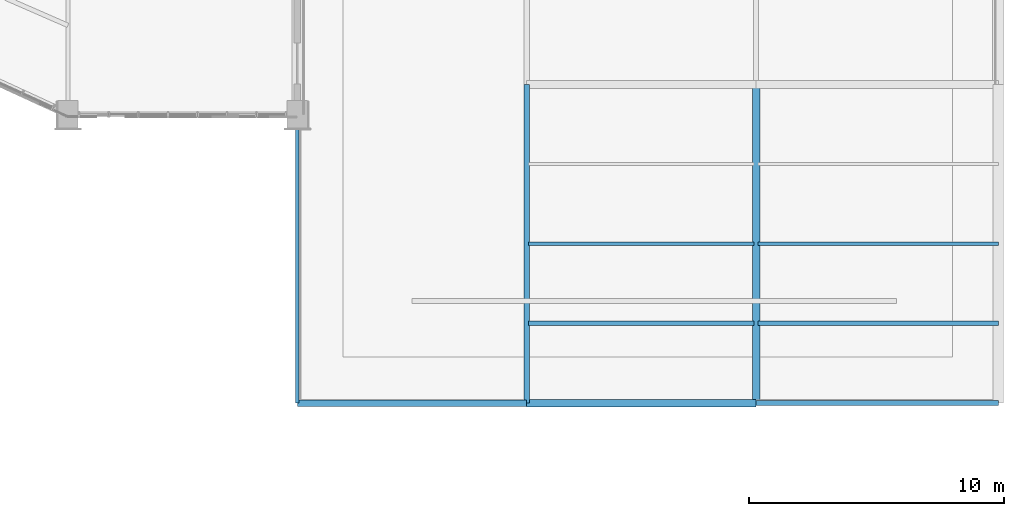
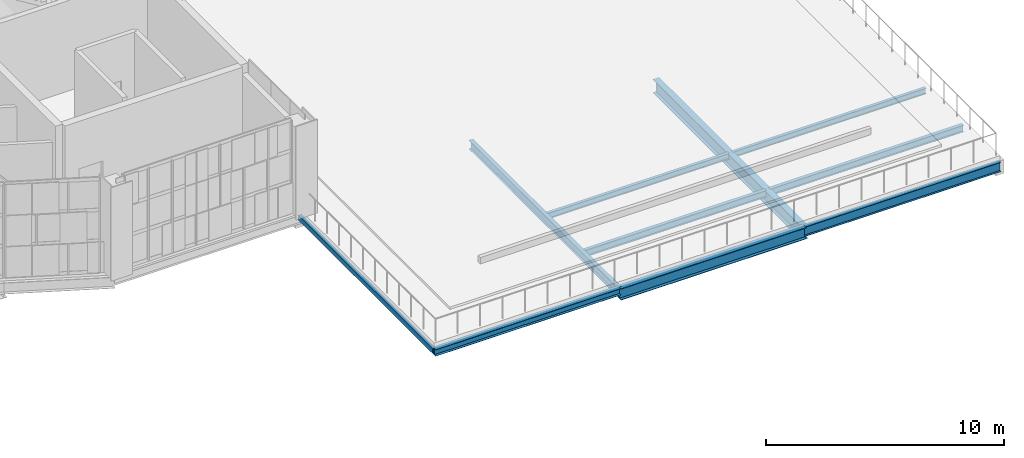
# One storey, part 38 of 66: 10 beams.
"""IFC4 building model written with IfcOpenShell, lengths in metres."""

from ifc_helpers import new_model, si_unit, direction, frame, origin, origin_2d, place, context, subcontext, project, spatial, hollow_rectangle, i_section, extrude, material, material_profile, profile_set, type_object, element, save


model = new_model("IFC4")

# Units and contexts
model_context = context("Model", 3, precision=1e-05, world=origin(), true_north=direction((0.0, 1.0)))
body_context = subcontext(model_context, "Body", "Model", "MODEL_VIEW")
ifc_project = project(units=[si_unit("LENGTHUNIT", "METRE"), si_unit("AREAUNIT", "SQUARE_METRE"), si_unit("VOLUMEUNIT", "CUBIC_METRE"), si_unit("PLANEANGLEUNIT", "RADIAN"), si_unit("MASSUNIT", "GRAM", prefix="KILO")], contexts=[model_context])

# Site, building, storey
site_placement = place(None, origin())
site = spatial("IfcSite", under=ifc_project, at=site_placement, CompositionType="ELEMENT")
building_placement = place(site_placement, origin())
building = spatial("IfcBuilding", under=site, at=building_placement, Name="Solvikara Media Centre", CompositionType="ELEMENT")
storey_placement = place(building_placement, frame((0.0, 0.0, 19.800048828125)))
storey = spatial("IfcBuildingStorey", under=building, at=storey_placement, Name="L04", CompositionType="ELEMENT", Elevation=19.800048828125)

# Beams
ifc_material = material(Name="Steel S355JR", Category="steel")
ifc_material_profile_1 = material_profile(ifc_material, i_section(OverallWidth=0.300048828125, OverallDepth=0.699951171875, WebThickness=0.012939453125, FlangeThickness=0.02392578125, at=origin_2d()), Name="WF 700x300x13x24")
ifc_profile_set_1 = profile_set([ifc_material_profile_1], Name="Steel S355JR")
beam_type_1 = type_object("IfcBeamType", Name="BM-17", PredefinedType="BEAM", material=ifc_profile_set_1)
beam_1_placement = place(storey_placement, frame((154.5, 8.0, -0.6220703125), z_axis=(0.0, 1.0, 0.0), x_axis=(-1.0, 0.0, 0.0)))
element("IfcBeam", 1, at=beam_1_placement, inside=storey, type_object=beam_type_1, Name="B-L04-Y1542", PredefinedType="BEAM", context=body_context, shape_type="SweptSolid", body=[
    extrude(i_section(OverallWidth=0.300048828125, OverallDepth=0.699951171875, WebThickness=0.012939453125, FlangeThickness=0.02392578125, at=origin_2d()), origin(), (0.0, 0.0, 1.0), 12.5),
])
ifc_material_profile_2 = material_profile(ifc_material, i_section(OverallWidth=0.175048828125, OverallDepth=0.35009765625, WebThickness=0.007080078125, FlangeThickness=0.010986328125, at=origin_2d()), Name="WF 350x175x7x11")
ifc_profile_set_2 = profile_set([ifc_material_profile_2], Name="Steel S355JR")
beam_type_2 = type_object("IfcBeamType", Name="BM-22", PredefinedType="JOIST", material=ifc_profile_set_2)
beam_2_placement = place(storey_placement, frame((145.577880859375, 11.125, -0.447021484375), z_axis=(1.0, 0.0, 0.0), x_axis=(0.0, 1.0, 0.0)))
element("IfcBeam", 2, at=beam_2_placement, inside=storey, type_object=beam_type_2, Name="J-L04-1618", PredefinedType="JOIST", context=body_context, shape_type="SweptSolid", body=[
    extrude(i_section(OverallWidth=0.175048828125, OverallDepth=0.35009765625, WebThickness=0.007080078125, FlangeThickness=0.010986328125, at=origin_2d()), origin(), (0.0, 0.0, 1.0), 8.84423828125),
])
beam_3_placement = place(storey_placement, frame((154.577880859375, 11.125, -0.447021484375), z_axis=(1.0, 0.0, 0.0), x_axis=(0.0, 1.0, 0.0)))
element("IfcBeam", 3, at=beam_3_placement, inside=storey, type_object=beam_type_2, Name="J-L04-1626", PredefinedType="JOIST", context=body_context, shape_type="SweptSolid", body=[
    extrude(i_section(OverallWidth=0.175048828125, OverallDepth=0.35009765625, WebThickness=0.007080078125, FlangeThickness=0.010986328125, at=origin_2d()), origin(), (0.0, 0.0, 1.0), 9.422119140625),
])
ifc_material_profile_3 = material_profile(ifc_material, i_section(OverallWidth=0.14990234375, OverallDepth=0.300048828125, WebThickness=0.006591796875, FlangeThickness=0.009033203125, at=origin_2d()), Name="WF 300x150x6.5x9")
ifc_profile_set_3 = profile_set([ifc_material_profile_3], Name="Steel S355JR")
beam_type_3 = type_object("IfcBeamType", Name="BM-23", PredefinedType="JOIST", material=ifc_profile_set_3)
beam_4_placement = place(storey_placement, frame((145.577880859375, 14.25, -0.422119140625), z_axis=(1.0, 0.0, 0.0), x_axis=(0.0, 1.0, 0.0)))
element("IfcBeam", 4, at=beam_4_placement, inside=storey, type_object=beam_type_3, Name="J-L04-1619", PredefinedType="JOIST", context=body_context, shape_type="SweptSolid", body=[
    extrude(i_section(OverallWidth=0.14990234375, OverallDepth=0.300048828125, WebThickness=0.006591796875, FlangeThickness=0.009033203125, at=origin_2d()), origin(), (0.0, 0.0, 1.0), 8.84423828125),
])
beam_5_placement = place(storey_placement, frame((154.577880859375, 14.25, -0.422119140625), z_axis=(1.0, 0.0, 0.0), x_axis=(0.0, 1.0, 0.0)))
element("IfcBeam", 5, at=beam_5_placement, inside=storey, type_object=beam_type_3, Name="J-L04-1627", PredefinedType="JOIST", context=body_context, shape_type="SweptSolid", body=[
    extrude(i_section(OverallWidth=0.14990234375, OverallDepth=0.300048828125, WebThickness=0.006591796875, FlangeThickness=0.009033203125, at=origin_2d()), origin(), (0.0, 0.0, 1.0), 9.422119140625),
])
ifc_material_profile_4 = material_profile(ifc_material, i_section(OverallWidth=0.25, OverallDepth=0.340087890625, WebThickness=0.009033203125, FlangeThickness=0.013916015625, at=origin_2d()), Name="H 340x250x9x14")
ifc_profile_set_4 = profile_set([ifc_material_profile_4], Name="Steel S355JR")
beam_type_4 = type_object("IfcBeamType", Name="BM-30", PredefinedType="BEAM", material=ifc_profile_set_4)
beam_6_placement = place(storey_placement, frame((136.5, 8.0, -0.442138671875), z_axis=(1.0, 0.0, 0.0), x_axis=(0.0, 1.0, 0.0)))
element("IfcBeam", 6, at=beam_6_placement, inside=storey, type_object=beam_type_4, Name="B-L04-X1438", PredefinedType="BEAM", context=body_context, shape_type="SweptSolid", body=[
    extrude(i_section(OverallWidth=0.25, OverallDepth=0.340087890625, WebThickness=0.009033203125, FlangeThickness=0.013916015625, at=origin_2d()), origin(), (0.0, 0.0, 1.0), 9.0),
])
ifc_material_profile_5 = material_profile(ifc_material, hollow_rectangle(XDim=0.14990234375, YDim=0.25, WallThickness=0.008056640625, at=origin_2d()), Name="RHS 250x150x8")
ifc_profile_set_5 = profile_set([ifc_material_profile_5], Name="Steel S355JR")
beam_type_5 = type_object("IfcBeamType", Name="BM-36", PredefinedType="JOIST", material=ifc_profile_set_5)
beam_7_placement = place(storey_placement, frame((136.5, 8.0, -0.39697265625), z_axis=(0.0, 1.0, 0.0), x_axis=(-1.0, 0.0, 0.0)))
element("IfcBeam", 7, at=beam_7_placement, inside=storey, type_object=beam_type_5, Name="B-L04-Y1536", PredefinedType="JOIST", context=body_context, shape_type="SweptSolid", body=[
    extrude(hollow_rectangle(XDim=0.14990234375, YDim=0.25, WallThickness=0.008056640625, at=origin_2d()), origin(), (0.0, 0.0, 1.0), 11.323974609375),
])
ifc_material_profile_6 = material_profile(ifc_material, i_section(OverallWidth=0.302001953125, OverallDepth=0.593994140625, WebThickness=0.013916015625, FlangeThickness=0.02294921875, at=origin_2d()), Name="H 594x302x14x23")
ifc_profile_set_6 = profile_set([ifc_material_profile_6], Name="Steel S355JR")
beam_type_6 = type_object("IfcBeamType", Name="BM-41", PredefinedType="BEAM", material=ifc_profile_set_6)
beam_8_placement = place(storey_placement, frame((145.5, 8.0, -0.569091796875), z_axis=(1.0, 0.0, 0.0), x_axis=(0.0, 1.0, 0.0)))
element("IfcBeam", 8, at=beam_8_placement, inside=storey, type_object=beam_type_6, Name="B-L04-X1439", PredefinedType="BEAM", context=body_context, shape_type="SweptSolid", body=[
    extrude(i_section(OverallWidth=0.302001953125, OverallDepth=0.593994140625, WebThickness=0.013916015625, FlangeThickness=0.02294921875, at=origin_2d()), origin(), (0.0, 0.0, 1.0), 9.0),
])
ifc_material_profile_7 = material_profile(ifc_material, i_section(OverallWidth=0.198974609375, OverallDepth=0.49609375, WebThickness=0.009033203125, FlangeThickness=0.013916015625, at=origin_2d()), Name="H 496x199x9x14")
ifc_profile_set_7 = profile_set([ifc_material_profile_7], Name="Steel S355JR")
beam_type_7 = type_object("IfcBeamType", Name="BM-42", PredefinedType="BEAM", material=ifc_profile_set_7)
beam_9_placement = place(storey_placement, frame((154.5, 8.0, -0.52001953125), z_axis=(1.0, 0.0, 0.0), x_axis=(0.0, 1.0, 0.0)))
element("IfcBeam", 9, at=beam_9_placement, inside=storey, type_object=beam_type_7, Name="B-L04-X1440", PredefinedType="BEAM", context=body_context, shape_type="SweptSolid", body=[
    extrude(i_section(OverallWidth=0.198974609375, OverallDepth=0.49609375, WebThickness=0.009033203125, FlangeThickness=0.013916015625, at=origin_2d()), origin(), (0.0, 0.0, 1.0), 9.5),
])
ifc_material_profile_8 = material_profile(ifc_material, i_section(OverallWidth=0.198974609375, OverallDepth=0.446044921875, WebThickness=0.008056640625, FlangeThickness=0.011962890625, at=origin_2d()), Name="H 446x199x8x12")
ifc_profile_set_8 = profile_set([ifc_material_profile_8], Name="Steel S355JR")
beam_type_8 = type_object("IfcBeamType", Name="BM-43", PredefinedType="BEAM", material=ifc_profile_set_8)
beam_10_placement = place(storey_placement, frame((145.5, 8.0, -0.4951171875), z_axis=(0.0, 1.0, 0.0), x_axis=(-1.0, 0.0, 0.0)))
element("IfcBeam", 10, at=beam_10_placement, inside=storey, type_object=beam_type_8, Name="B-L04-Y1539", PredefinedType="BEAM", context=body_context, shape_type="SweptSolid", body=[
    extrude(i_section(OverallWidth=0.198974609375, OverallDepth=0.446044921875, WebThickness=0.008056640625, FlangeThickness=0.011962890625, at=origin_2d()), origin(), (0.0, 0.0, 1.0), 12.5),
])

save(model, "model.ifc")
